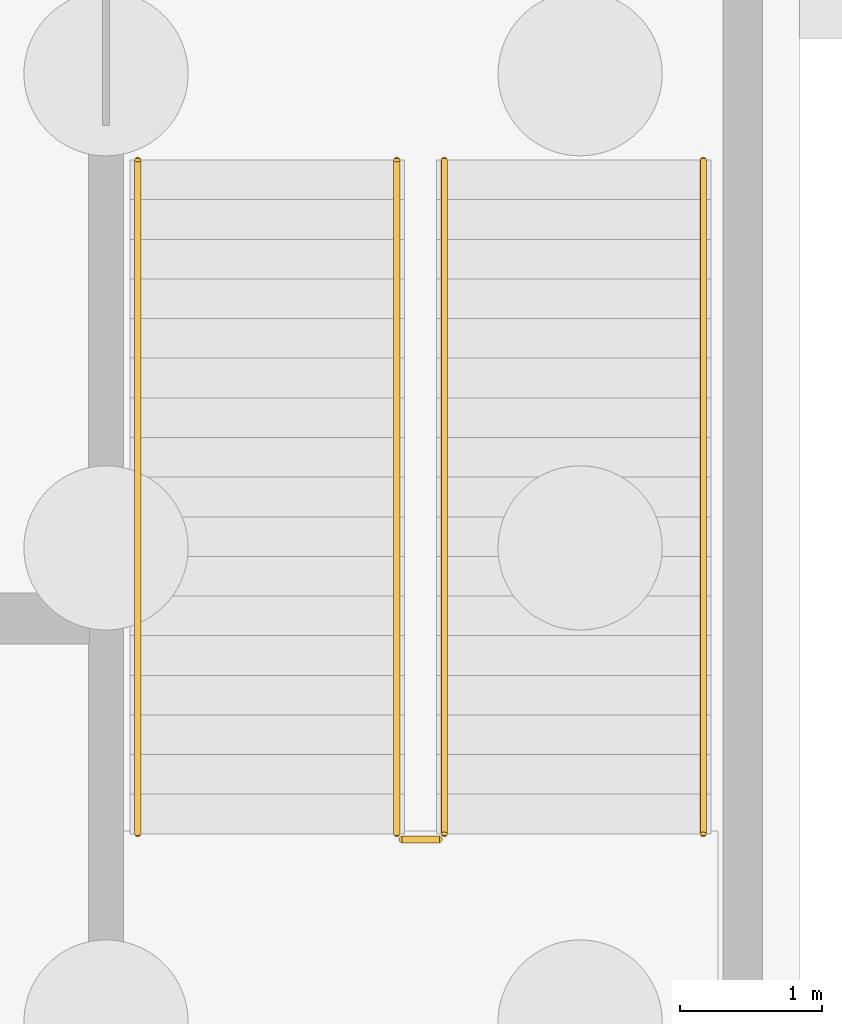
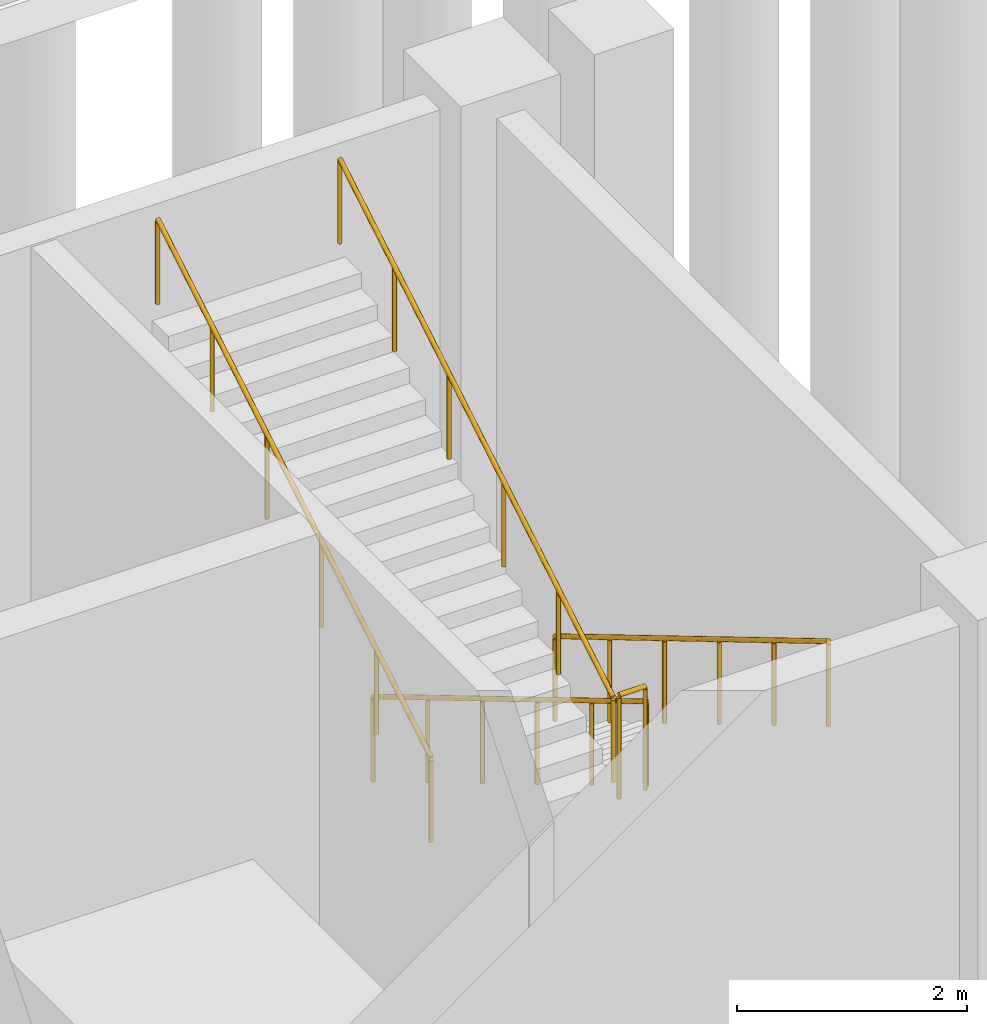
# One storey, part 128 of 131: 5 railings.
"""IFC4 building model written with IfcOpenShell, lengths in metres."""

import ifcopenshell
import ifcopenshell.guid

model = None  # the IFC model being written
_history = None  # IfcOwnerHistory: only IFC2X3 demands one
_inside = {}  # id of a spatial element -> (the spatial element, [elements in it])
_under = {}  # id of a project, library or spatial element -> (it, [spatial elements below it])
_declared = {}  # id of a project -> (the project, [libraries it declares])
_typed = {}  # id of a type object -> (the type object, [elements of that type])
_made_of = {}  # id of a material, layer set ... -> (it, [elements and type objects made of it])


def new_model(schema):
    """Start an empty IFC model of exactly this schema.

    Asked for "IFC4X3", IfcOpenShell would pick the latest addendum, in which some entities
    have other attributes; the version numbers below select the first issue.
    IFC2X3 requires an IfcOwnerHistory on every rooted entity: one is made here for all.
    """
    global model, _history
    if schema == "IFC4X3":
        model = ifcopenshell.file(schema_version=(4, 3, 0, 0))
    else:
        model = ifcopenshell.file(schema=schema)
    _inside.clear()
    _under.clear()
    _declared.clear()
    _typed.clear()
    _made_of.clear()
    _history = None
    if model.schema == "IFC2X3":
        org = make("IfcOrganization", Name="unknown")
        user = make(
            "IfcPersonAndOrganization",
            ThePerson=make("IfcPerson", FamilyName="unknown"),
            TheOrganization=org,
        )
        app = make(
            "IfcApplication",
            ApplicationDeveloper=org,
            Version="unknown",
            ApplicationFullName="unknown",
            ApplicationIdentifier="unknown",
        )
        _history = make(
            "IfcOwnerHistory",
            OwningUser=user,
            OwningApplication=app,
            ChangeAction="ADDED",
            CreationDate=0,
        )
    return model


def make(cls, **values):
    """One entity of the class cls with the attributes given. An attribute that is None is left unset."""
    return model.create_entity(
        cls, **{name: value for name, value in values.items() if value is not None}
    )


def rooted(cls, **values):
    """An entity with a GlobalId (a new one), such as an element, a storey or a relation."""
    return make(cls, GlobalId=ifcopenshell.guid.new(), OwnerHistory=_history, **values)


def si_unit(unit_type, name, prefix=None):
    """IfcSIUnit, for example si_unit("LENGTHUNIT", "METRE", prefix="MILLI")."""
    return make("IfcSIUnit", UnitType=unit_type, Prefix=prefix, Name=name)


def assignment(units):
    """IfcUnitAssignment: the units of a project."""
    return None if units is None else make("IfcUnitAssignment", Units=units)


def point(xyz):
    """IfcCartesianPoint."""
    return None if xyz is None else make("IfcCartesianPoint", Coordinates=xyz)


def direction(xyz):
    """IfcDirection."""
    return None if xyz is None else make("IfcDirection", DirectionRatios=xyz)


def frame(location, z_axis=None, x_axis=None):
    """IfcAxis2Placement3D, a coordinate frame: its origin and axes. An axis left out is left unset."""
    return make(
        "IfcAxis2Placement3D",
        Location=point(location),
        Axis=direction(z_axis),
        RefDirection=direction(x_axis),
    )


def frame_2d(location, x_axis=None):
    """IfcAxis2Placement2D, a coordinate frame in the plane: its origin and x axis."""
    return make(
        "IfcAxis2Placement2D", Location=point(location), RefDirection=direction(x_axis)
    )


def origin():
    """The frame at (0, 0, 0) with its axes left unset."""
    return frame((0.0, 0.0, 0.0))


def origin_2d():
    """The frame at (0, 0) in the plane with its x axis left unset."""
    return frame_2d((0.0, 0.0))


def place(relative_to, where):
    """IfcLocalPlacement: puts the frame where relative to a parent placement (None: the world)."""
    return make(
        "IfcLocalPlacement", PlacementRelTo=relative_to, RelativePlacement=where
    )


def context(
    kind, dimensions, precision=None, world=None, true_north=None, identifier=None
):
    """IfcGeometricRepresentationContext, for example the 3D "Model" context."""
    return make(
        "IfcGeometricRepresentationContext",
        ContextIdentifier=identifier,
        ContextType=kind,
        CoordinateSpaceDimension=dimensions,
        Precision=precision,
        WorldCoordinateSystem=world,
        TrueNorth=true_north,
    )


def subcontext(parent, identifier, kind, view, scale=None):
    """IfcGeometricRepresentationSubContext, for example "Body" below "Model"."""
    return make(
        "IfcGeometricRepresentationSubContext",
        ContextIdentifier=identifier,
        ContextType=kind,
        ParentContext=parent,
        TargetScale=scale,
        TargetView=view,
    )


def project(units=None, contexts=None):
    """IfcProject with its units and contexts."""
    return rooted(
        "IfcProject",
        Name="project",
        RepresentationContexts=contexts,
        UnitsInContext=assignment(units),
    )


def spatial(cls, under=None, at=None, **own):
    """A site, building, storey or space (cls), placed at a placement, below another one or the project."""
    s = rooted(cls, ObjectPlacement=at, **own)
    if under is not None:
        _under.setdefault(under.id(), (under, []))[1].append(s)
    return s


def profile(cls, at=None, kind="AREA", **sizes):
    """A parametric profile (cls). Its sizes go by their IFC names, for example OverallWidth=200.0."""
    return make(cls, ProfileType=kind, Position=at, **sizes)


def circle(**sizes):
    """IfcCircleProfileDef."""
    return profile("IfcCircleProfileDef", **sizes)


def extrude(swept, where, along, depth):
    """IfcExtrudedAreaSolid: the profile swept, set in the frame where, extruded along a direction by depth."""
    return make(
        "IfcExtrudedAreaSolid",
        SweptArea=swept,
        Position=where,
        ExtrudedDirection=direction(along),
        Depth=depth,
    )


def shape(context_of_items, identifier, shape_type, items):
    """IfcShapeRepresentation: the items that make up one representation, for example the "Body"."""
    return make(
        "IfcShapeRepresentation",
        ContextOfItems=context_of_items,
        RepresentationIdentifier=identifier,
        RepresentationType=shape_type,
        Items=items,
    )


def material(Name=None, Category=None):
    """IfcMaterial."""
    return make("IfcMaterial", Name=Name, Category=Category)


def made_of(thing, what):
    """Note that an element or type object is made of a material, layer set ...; save() writes the relation."""
    if what is not None:
        _made_of.setdefault(what.id(), (what, []))[1].append(thing)
    return thing


def type_object(cls, material=None, **own):
    """A type object (cls), such as IfcWallType, which elements share."""
    return made_of(rooted(cls, **own), material)


def element(
    cls,
    number,
    at=None,
    inside=None,
    cuts=None,
    type_object=None,
    material=None,
    context=None,
    identifier="Body",
    shape_type=None,
    held_by="IfcProductDefinitionShape",
    body=None,
    shapes=None,
    **own,
):
    """One element of the class cls, such as IfcWall. Its Tag is "e" and its number.

    at: its placement. inside: the storey or other place that contains it. cuts: it is an
    opening in that element (IfcRelVoidsElement). A single representation is given by context,
    identifier, shape_type and body (its items); several are given by shapes. held_by: the class
    of the entity that holds the representations. save() writes the other relations.
    """
    e = rooted(cls, Tag="e%d" % number, ObjectPlacement=at, **own)
    if body is not None:
        shapes = [shape(context, identifier, shape_type, body)]
    if shapes is not None:
        e.Representation = make(held_by, Representations=shapes)
    if inside is not None:
        _inside.setdefault(inside.id(), (inside, []))[1].append(e)
    if cuts is not None:
        rooted(
            "IfcRelVoidsElement", RelatingBuildingElement=cuts, RelatedOpeningElement=e
        )
    if type_object is not None:
        _typed.setdefault(type_object.id(), (type_object, []))[1].append(e)
    return made_of(e, material)


def aggregate(whole, parts):
    """IfcRelAggregates: a whole, such as a stair, and the parts it consists of."""
    return rooted("IfcRelAggregates", RelatingObject=whole, RelatedObjects=parts)


def save(model, path):
    """Write the relations noted so far, then the file.

    IfcRelAggregates (storeys below a building ...), IfcRelContainedInSpatialStructure (elements
    in a storey), IfcRelDefinesByType, IfcRelAssociatesMaterial and IfcRelDeclares: one each for
    every whole, place, type object, material and project.
    """
    for whole, parts in _under.values():
        aggregate(whole, parts)
    for where, things in _inside.values():
        rooted(
            "IfcRelContainedInSpatialStructure",
            RelatedElements=things,
            RelatingStructure=where,
        )
    for kind, things in _typed.values():
        rooted("IfcRelDefinesByType", RelatedObjects=things, RelatingType=kind)
    for what, things in _made_of.values():
        rooted("IfcRelAssociatesMaterial", RelatedObjects=things, RelatingMaterial=what)
    for by, libraries in _declared.values():
        rooted("IfcRelDeclares", RelatingContext=by, RelatedDefinitions=libraries)
    model.write(path)


model = new_model("IFC4")

# Units and contexts
model_context = context("Model", 3, precision=1e-05, world=origin(), true_north=direction((0.0, 1.0)))
body_context = subcontext(model_context, "Body", "Model", "MODEL_VIEW")
ifc_project = project(units=[si_unit("LENGTHUNIT", "METRE"), si_unit("AREAUNIT", "SQUARE_METRE"), si_unit("VOLUMEUNIT", "CUBIC_METRE"), si_unit("PLANEANGLEUNIT", "RADIAN"), si_unit("MASSUNIT", "GRAM", prefix="KILO")], contexts=[model_context])

# Site, building, storey
site_placement = place(None, origin())
site = spatial("IfcSite", under=ifc_project, at=site_placement, CompositionType="ELEMENT")
building_placement = place(site_placement, origin())
building = spatial("IfcBuilding", under=site, at=building_placement, Name="Cazmaro Siding Exhibition Halls", CompositionType="ELEMENT")
storey_placement = place(building_placement, origin())
storey = spatial("IfcBuildingStorey", under=building, at=storey_placement, Name="L00", CompositionType="ELEMENT", Elevation=0.0)

# Railings
ifc_material_1 = material(Name="Painted Steel Stairwell Guardrail", Category="steel")
railing_type_1 = type_object("IfcRailingType", Name="RL-GRD-01", PredefinedType="GUARDRAIL", material=ifc_material_1)
railing_1_placement = place(storey_placement, frame((203.389892578125, 47.0400390625, 3.0)))
element("IfcRailing", 1, at=railing_1_placement, inside=storey, type_object=railing_type_1, Name="ST-09 Mid-Landing Slot Guard RL-GRD-01 RL-SG017", PredefinedType="GUARDRAIL", context=body_context, shape_type="SweptSolid", body=[
    extrude(circle(Radius=0.02392578125, at=origin_2d()), frame((0.0, 0.0, 1.09619140625), z_axis=(1.0, 0.0, 0.0), x_axis=(0.0, 1.0, 0.0)), (0.0, 0.0, 1.0), 0.26513671875),
    extrude(circle(Radius=0.02099609375, at=origin_2d()), origin(), (0.0, 0.0, 1.0), 1.072021484375),
    extrude(circle(Radius=0.02099609375, at=origin_2d()), frame((0.26513671875, 0.0, 0.0)), (0.0, 0.0, 1.0), 1.072021484375),
])
ifc_material_2 = material(Name="Brushed Stainless Steel Tubular Handrail", Category="steel")
railing_type_2 = type_object("IfcRailingType", Name="RL-HR-01", PredefinedType="HANDRAIL", material=ifc_material_2)
railing_2_placement = place(storey_placement, frame((203.68994140625, 51.840087890625, 0.1669921875)))
element("IfcRailing", 2, at=railing_2_placement, inside=storey, type_object=railing_type_2, Name="ST-09 Flight 1 Handrail 1", PredefinedType="HANDRAIL", context=body_context, shape_type="SweptSolid", body=[
    extrude(circle(Radius=0.02392578125, at=origin_2d()), frame((0.0, 0.0, 0.89599609375), z_axis=(0.0, -0.859319172962, 0.511439692417), x_axis=(1.0, 0.0, 0.0)), (0.0, 0.0, 1.0), 5.539306640625),
    extrude(circle(Radius=0.02099609375, at=origin_2d()), origin(), (0.0, 0.0, 1.0), 0.871826171875),
    extrude(circle(Radius=0.02099609375, at=origin_2d()), frame((0.0, -0.951904296875, 0.566650390625)), (0.0, 0.0, 1.0), 0.871826171875),
    extrude(circle(Radius=0.02099609375, at=origin_2d()), frame((0.0, -1.904052734375, 1.13330078125)), (0.0, 0.0, 1.0), 0.871826171875),
    extrude(circle(Radius=0.02099609375, at=origin_2d()), frame((0.0, -2.85595703125, 1.69970703125)), (0.0, 0.0, 1.0), 0.871826171875),
    extrude(circle(Radius=0.02099609375, at=origin_2d()), frame((0.0, -3.80810546875, 2.266357421875)), (0.0, 0.0, 1.0), 0.871826171875),
    extrude(circle(Radius=0.02099609375, at=origin_2d()), frame((0.0, -4.760009765625, 2.8330078125)), (0.0, 0.0, 1.0), 0.871826171875),
])
railing_3_placement = place(storey_placement, frame((201.52490234375, 47.080078125, 3.1669921875)))
element("IfcRailing", 3, at=railing_3_placement, inside=storey, type_object=railing_type_2, Name="ST-09 Flight 2 Handrail 1", PredefinedType="HANDRAIL", context=body_context, shape_type="SweptSolid", body=[
    extrude(circle(Radius=0.02392578125, at=origin_2d()), frame((0.0, 0.0, 0.89599609375), z_axis=(0.0, 0.859319172962, 0.511439692417), x_axis=(-1.0, 0.0, 0.0)), (0.0, 0.0, 1.0), 5.539306640625),
    extrude(circle(Radius=0.02099609375, at=origin_2d()), origin(), (0.0, 0.0, 1.0), 0.871826171875),
    extrude(circle(Radius=0.02099609375, at=origin_2d()), frame((0.0, 0.951904296875, 0.566650390625)), (0.0, 0.0, 1.0), 0.871826171875),
    extrude(circle(Radius=0.02099609375, at=origin_2d()), frame((0.0, 1.904052734375, 1.13330078125)), (0.0, 0.0, 1.0), 0.871826171875),
    extrude(circle(Radius=0.02099609375, at=origin_2d()), frame((0.0, 2.85595703125, 1.69970703125)), (0.0, 0.0, 1.0), 0.871826171875),
    extrude(circle(Radius=0.02099609375, at=origin_2d()), frame((0.0, 3.80810546875, 2.266357421875)), (0.0, 0.0, 1.0), 0.871826171875),
    extrude(circle(Radius=0.02099609375, at=origin_2d()), frame((0.0, 4.760009765625, 2.8330078125)), (0.0, 0.0, 1.0), 0.871826171875),
])
railing_4_placement = place(storey_placement, frame((205.52001953125, 51.840087890625, 0.1669921875)))
element("IfcRailing", 4, at=railing_4_placement, inside=storey, type_object=railing_type_2, Name="ST-09 Flight 1 Handrail 2", PredefinedType="HANDRAIL", context=body_context, shape_type="SweptSolid", body=[
    extrude(circle(Radius=0.02392578125, at=origin_2d()), frame((0.0, 0.0, 0.89599609375), z_axis=(0.0, -0.859319172962, 0.511439692417), x_axis=(1.0, 0.0, 0.0)), (0.0, 0.0, 1.0), 5.539306640625),
    extrude(circle(Radius=0.02099609375, at=origin_2d()), origin(), (0.0, 0.0, 1.0), 0.871826171875),
    extrude(circle(Radius=0.02099609375, at=origin_2d()), frame((0.0, -0.951904296875, 0.566650390625)), (0.0, 0.0, 1.0), 0.871826171875),
    extrude(circle(Radius=0.02099609375, at=origin_2d()), frame((0.0, -1.904052734375, 1.13330078125)), (0.0, 0.0, 1.0), 0.871826171875),
    extrude(circle(Radius=0.02099609375, at=origin_2d()), frame((0.0, -2.85595703125, 1.69970703125)), (0.0, 0.0, 1.0), 0.871826171875),
    extrude(circle(Radius=0.02099609375, at=origin_2d()), frame((0.0, -3.80810546875, 2.266357421875)), (0.0, 0.0, 1.0), 0.871826171875),
    extrude(circle(Radius=0.02099609375, at=origin_2d()), frame((0.0, -4.760009765625, 2.8330078125)), (0.0, 0.0, 1.0), 0.871826171875),
])
railing_5_placement = place(storey_placement, frame((203.35498046875, 47.080078125, 3.1669921875)))
element("IfcRailing", 5, at=railing_5_placement, inside=storey, type_object=railing_type_2, Name="ST-09 Flight 2 Handrail 2", PredefinedType="HANDRAIL", context=body_context, shape_type="SweptSolid", body=[
    extrude(circle(Radius=0.02392578125, at=origin_2d()), frame((0.0, 0.0, 0.89599609375), z_axis=(0.0, 0.859319172962, 0.511439692417), x_axis=(-1.0, 0.0, 0.0)), (0.0, 0.0, 1.0), 5.539306640625),
    extrude(circle(Radius=0.02099609375, at=origin_2d()), origin(), (0.0, 0.0, 1.0), 0.871826171875),
    extrude(circle(Radius=0.02099609375, at=origin_2d()), frame((0.0, 0.951904296875, 0.566650390625)), (0.0, 0.0, 1.0), 0.871826171875),
    extrude(circle(Radius=0.02099609375, at=origin_2d()), frame((0.0, 1.904052734375, 1.13330078125)), (0.0, 0.0, 1.0), 0.871826171875),
    extrude(circle(Radius=0.02099609375, at=origin_2d()), frame((0.0, 2.85595703125, 1.69970703125)), (0.0, 0.0, 1.0), 0.871826171875),
    extrude(circle(Radius=0.02099609375, at=origin_2d()), frame((0.0, 3.80810546875, 2.266357421875)), (0.0, 0.0, 1.0), 0.871826171875),
    extrude(circle(Radius=0.02099609375, at=origin_2d()), frame((0.0, 4.760009765625, 2.8330078125)), (0.0, 0.0, 1.0), 0.871826171875),
])

save(model, "model.ifc")
